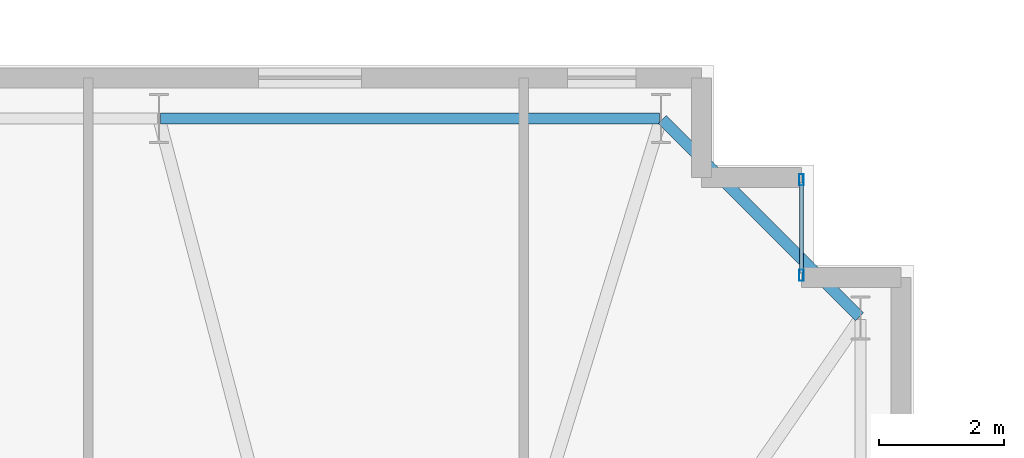
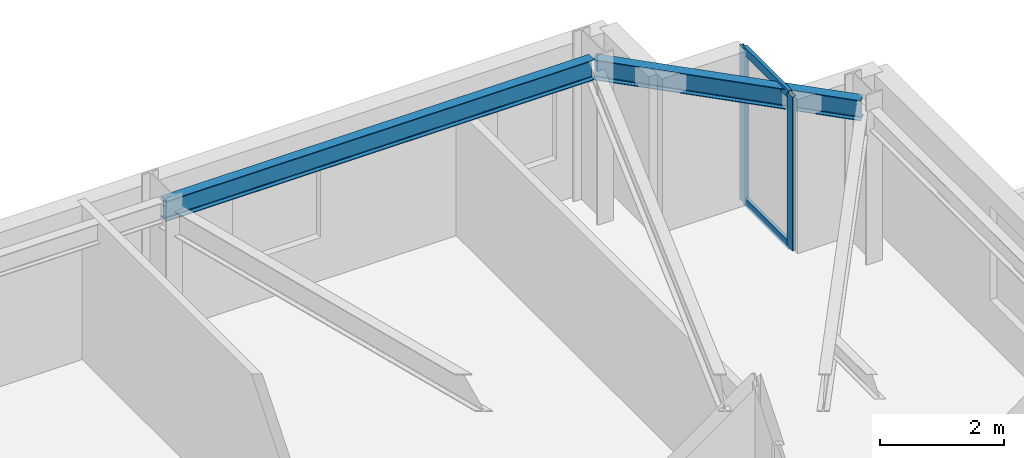
# One storey, part 10 of 18: 4 members, 2 beams, 1 element without a shape of its own.
"""IFC4 building model written with IfcOpenShell, lengths in metres."""

from ifc_helpers import new_model, si_unit, direction, frame, origin, origin_2d, place, context, subcontext, project, spatial, hollow_rectangle, i_section, extrude, material, layer, layer_set, material_profile, profile_set, type_object, element, aggregate, save


model = new_model("IFC4")

# Units and contexts
model_context = context("Model", 3, precision=1e-05, world=origin(), true_north=direction((0.0, 1.0)))
body_context = subcontext(model_context, "Body", "Model", "MODEL_VIEW")
ifc_project = project(units=[si_unit("LENGTHUNIT", "METRE"), si_unit("AREAUNIT", "SQUARE_METRE"), si_unit("VOLUMEUNIT", "CUBIC_METRE"), si_unit("PLANEANGLEUNIT", "RADIAN"), si_unit("MASSUNIT", "GRAM", prefix="KILO")], contexts=[model_context])

# Site, building, storey
site_placement = place(None, origin())
site = spatial("IfcSite", under=ifc_project, at=site_placement, CompositionType="ELEMENT")
building_placement = place(site_placement, origin())
building = spatial("IfcBuilding", under=site, at=building_placement, Name="Qobustan Lattice House", CompositionType="ELEMENT")
storey_placement = place(building_placement, frame((0.0, 0.0, 147.75)))
storey = spatial("IfcBuildingStorey", under=building, at=storey_placement, Name="L41", CompositionType="ELEMENT", Elevation=147.75)

# Beams
ifc_material_1 = material(Name="Steel S355", Category="steel")
ifc_material_profile_1 = material_profile(ifc_material_1, i_section(OverallWidth=0.179931640625, OverallDepth=0.39990234375, WebThickness=0.008544921875, FlangeThickness=0.013427734375, FilletRadius=0.02099609375, at=origin_2d()), Name="IPE400")
ifc_profile_set_1 = profile_set([ifc_material_profile_1], Name="Steel S355")
beam_type = type_object("IfcBeamType", Name="BM-SPD-IPE400", PredefinedType="SPANDREL", material=ifc_profile_set_1)
beam_1_placement = place(storey_placement, frame((26.332275390625, 16.567626953125, 2.840087890625), z_axis=(-0.707079505568, 0.707134055753, 0.0), x_axis=(-0.707134055753, -0.707079505568, 0.0)))
element("IfcBeam", 1, at=beam_1_placement, inside=storey, type_object=beam_type, Name="L41 perimeter spandrel E4-N1", PredefinedType="SPANDREL", context=body_context, shape_type="SweptSolid", body=[
    extrude(i_section(OverallWidth=0.179931640625, OverallDepth=0.39990234375, WebThickness=0.008544921875, FlangeThickness=0.013427734375, FilletRadius=0.02099609375, at=origin_2d()), origin(), (0.0, 0.0, 1.0), 4.4755859375),
])
beam_2_placement = place(storey_placement, frame((23.125, 19.75, 2.840087890625), z_axis=(-1.0, 0.0, 0.0), x_axis=(0.0, -1.0, 0.0)))
element("IfcBeam", 2, at=beam_2_placement, inside=storey, type_object=beam_type, Name="L41 perimeter spandrel N1-N2", PredefinedType="SPANDREL", context=body_context, shape_type="SweptSolid", body=[
    extrude(i_section(OverallWidth=0.179931640625, OverallDepth=0.39990234375, WebThickness=0.008544921875, FlangeThickness=0.013427734375, FilletRadius=0.02099609375, at=origin_2d()), origin(), (0.0, 0.0, 1.0), 8.0),
])

# Curtain wall, members
ifc_material_2 = material(Name="Anodised aluminium and low-E glazing", Category="aluminium")
ifc_layer = layer(ifc_material_2, 0.219970703125)
ifc_layer_set = layer_set([ifc_layer], Name="Anodised aluminium and low-E glazing")
curtain_wall_type = type_object("IfcCurtainWallType", Name="CW-FAC-02", PredefinedType="USERDEFINED", material=ifc_layer_set)
curtain_wall_placement = place(storey_placement, origin())
curtain_wall = element("IfcCurtainWall", 3, at=curtain_wall_placement, inside=storey, type_object=curtain_wall_type, Name="L41 serrated corner faceted glazing 13", ObjectType="CURTAIN WALL", PredefinedType="USERDEFINED")
ifc_material_3 = material(Name="Anodised aluminium EN AW-6063 T6", Category="aluminium")
ifc_material_profile_2 = material_profile(ifc_material_3, hollow_rectangle(XDim=0.070068359375, YDim=0.179931640625, WallThickness=0.00439453125, at=origin_2d()), Name="CWM-180x70")
ifc_profile_set_2 = profile_set([ifc_material_profile_2], Name="Anodised aluminium EN AW-6063 T6")
member_type_1 = type_object("IfcMemberType", Name="CWM-STD-180", PredefinedType="MULLION", material=ifc_profile_set_2)
member_1_placement = place(storey_placement, frame((25.39990234375, 18.764892578125, 0.0), z_axis=(0.0, 0.0, 1.0), x_axis=(1.0, 0.0, 0.0)))
member_1 = element("IfcMember", 4, at=member_1_placement, type_object=member_type_1, Name="CW-F2 mullion 1", PredefinedType="MULLION", context=body_context, shape_type="SweptSolid", body=[
    extrude(hollow_rectangle(XDim=0.070068359375, YDim=0.179931640625, WallThickness=0.00439453125, at=origin_2d()), origin(), (0.0, 0.0, 1.0), 3.0400390625),
])
member_2_placement = place(storey_placement, frame((25.39990234375, 17.235107421875, 0.0), z_axis=(0.0, 0.0, 1.0), x_axis=(1.0, 0.0, 0.0)))
member_2 = element("IfcMember", 5, at=member_2_placement, type_object=member_type_1, Name="CW-F2 mullion 2", PredefinedType="MULLION", context=body_context, shape_type="SweptSolid", body=[
    extrude(hollow_rectangle(XDim=0.070068359375, YDim=0.179931640625, WallThickness=0.00439453125, at=origin_2d()), origin(), (0.0, 0.0, 1.0), 3.0400390625),
])
ifc_material_4 = material(Name="Anodised aluminium EN AW-6063 T6", Category="aluminium")
ifc_material_profile_3 = material_profile(ifc_material_4, hollow_rectangle(XDim=0.06494140625, YDim=0.159912109375, WallThickness=0.00390625, at=origin_2d()), Name="CWT-160x65")
ifc_profile_set_3 = profile_set([ifc_material_profile_3], Name="Anodised aluminium EN AW-6063 T6")
member_type_2 = type_object("IfcMemberType", Name="CWT-HOR-160", PredefinedType="USERDEFINED", material=ifc_profile_set_3)
member_3_placement = place(storey_placement, frame((25.39990234375, 18.72998046875, 0.032470703125), z_axis=(0.0, -1.0, 0.0), x_axis=(1.0, 0.0, 0.0)))
member_3 = element("IfcMember", 6, at=member_3_placement, type_object=member_type_2, Name="CW-F2 transom 1.1", ObjectType="TRANSOM", PredefinedType="USERDEFINED", context=body_context, shape_type="SweptSolid", body=[
    extrude(hollow_rectangle(XDim=0.06494140625, YDim=0.159912109375, WallThickness=0.00390625, at=origin_2d()), origin(), (0.0, 0.0, 1.0), 1.4599609375),
])
member_4_placement = place(storey_placement, frame((25.39990234375, 18.72998046875, 3.007568359375), z_axis=(0.0, -1.0, 0.0), x_axis=(1.0, 0.0, 0.0)))
member_4 = element("IfcMember", 7, at=member_4_placement, type_object=member_type_2, Name="CW-F2 transom 1.2", ObjectType="TRANSOM", PredefinedType="USERDEFINED", context=body_context, shape_type="SweptSolid", body=[
    extrude(hollow_rectangle(XDim=0.06494140625, YDim=0.159912109375, WallThickness=0.00390625, at=origin_2d()), origin(), (0.0, 0.0, 1.0), 1.4599609375),
])
aggregate(curtain_wall, [member_1, member_2, member_3, member_4])

save(model, "model.ifc")
